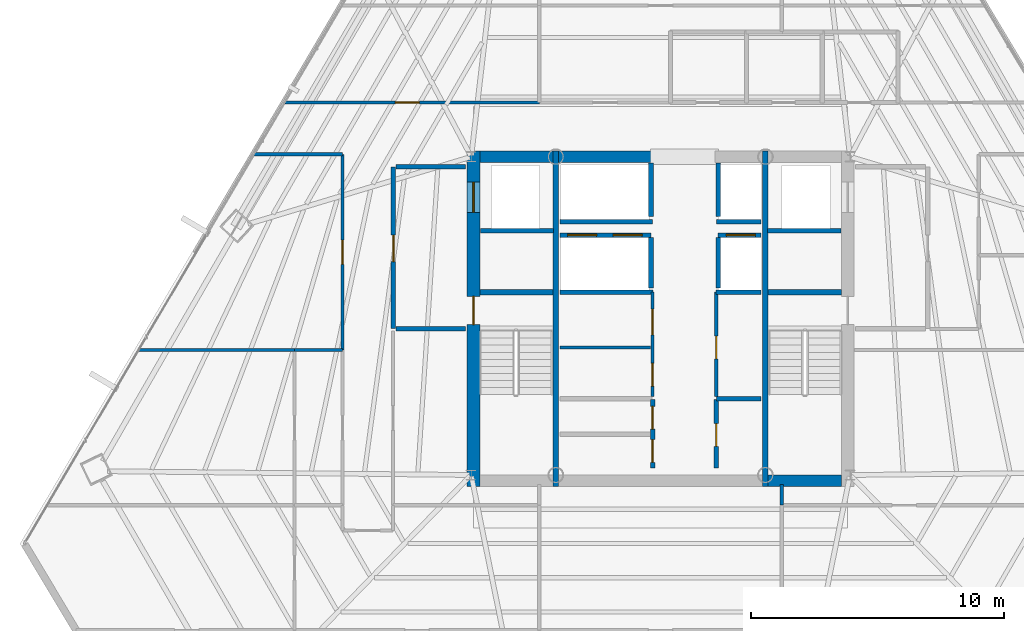
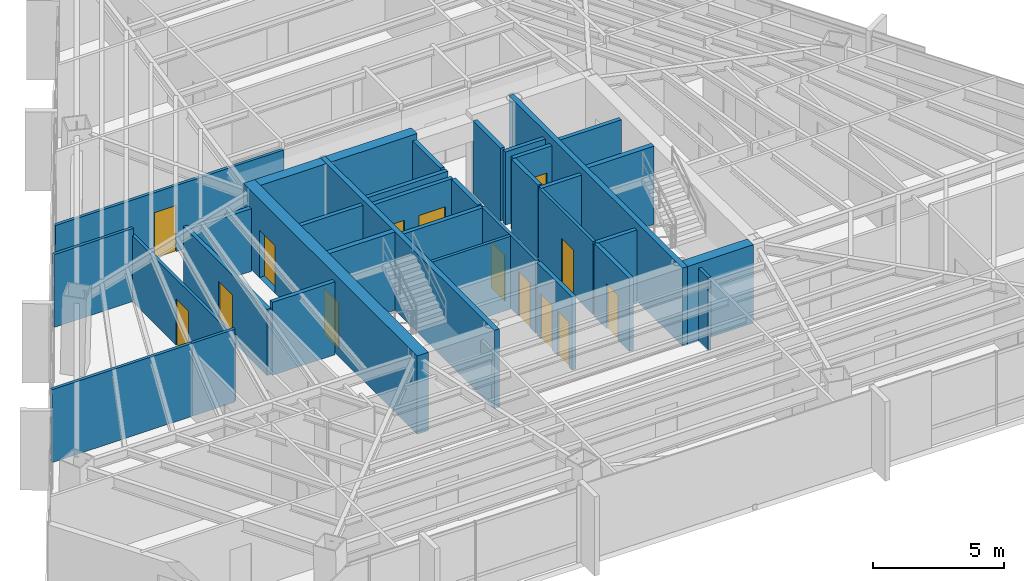
# One storey, part 36 of 41: 35 walls, 14 doors, 14 openings.
"""IFC4 building model written with IfcOpenShell, lengths in metres."""

from ifc_helpers import new_model, si_unit, direction, frame, frame_2d, origin, place, context, subcontext, project, spatial, rectangle, extrude, material, layer, layer_set, type_object, element, fill, save


model = new_model("IFC4")

# Units and contexts
model_context = context("Model", 3, precision=1e-05, world=origin(), true_north=direction((0.0, 1.0)))
body_context = subcontext(model_context, "Body", "Model", "MODEL_VIEW")
ifc_project = project(units=[si_unit("LENGTHUNIT", "METRE"), si_unit("AREAUNIT", "SQUARE_METRE"), si_unit("VOLUMEUNIT", "CUBIC_METRE"), si_unit("PLANEANGLEUNIT", "RADIAN"), si_unit("MASSUNIT", "GRAM", prefix="KILO")], contexts=[model_context])

# Site, building, storey
site_placement = place(None, origin())
site = spatial("IfcSite", under=ifc_project, at=site_placement, CompositionType="ELEMENT")
building_placement = place(site_placement, origin())
building = spatial("IfcBuilding", under=site, at=building_placement, Name="Caelisora Broadcast Tower", CompositionType="ELEMENT")
storey_placement = place(building_placement, frame((0.0, 0.0, 180.39990234375)))
storey = spatial("IfcBuildingStorey", under=building, at=storey_placement, Name="L47", CompositionType="ELEMENT", Elevation=180.39990234375)

# Wall, openings, doors
ifc_material_1 = material(Name="Concrete 50 MPa (AS 3600 S50)", Category="concrete")
ifc_layer_1 = layer(ifc_material_1, 0.5, Name="Concrete 50 MPa (AS 3600 S50)")
ifc_layer_set_1 = layer_set([ifc_layer_1], Name="Concrete 50 MPa (AS 3600 S50)")
wall_type_1 = type_object("IfcWallType", Name="CW2", PredefinedType="SHEAR", material=ifc_layer_set_1)
wall_1_placement = place(storey_placement, frame((30.590087890625, 16.949951171875, 0.0), z_axis=(0.0, 0.0, 1.0), x_axis=(0.0, 1.0, 0.0)))
wall_1 = element("IfcWall", 1, at=wall_1_placement, inside=storey, type_object=wall_type_1, Name="L47 core shear wall CW2", PredefinedType="SHEAR", context=body_context, shape_type="SweptSolid", body=[
    extrude(rectangle(XDim=13.275146484375, YDim=0.5, at=frame_2d((6.6376953125, 0.0))), origin(), (0.0, 0.0, 1.0), 3.650146484375),
])
opening_1_placement = place(wall_1_placement, frame((6.39990234375, 0.0, 0.0)))
opening_1 = element("IfcOpeningElement", 2, at=opening_1_placement, cuts=wall_1, Name="Opening FD04", PredefinedType="OPENING", context=body_context, shape_type="SweptSolid", body=[
    extrude(rectangle(XDim=1.1201171875, YDim=2.14990234375, at=frame_2d((0.56005859375, 1.074951171875))), frame((0.0, 0.261962890625, 0.0), z_axis=(0.0, -1.0, 0.0), x_axis=(1.0, 0.0, 0.0)), (0.0, 0.0, 1.0), 0.52392578125),
])
opening_2_placement = place(wall_1_placement, frame((10.85009765625, 0.0, 0.0)))
opening_2 = element("IfcOpeningElement", 3, at=opening_2_placement, cuts=wall_1, Name="Opening LD04", PredefinedType="OPENING", context=body_context, shape_type="SweptSolid", body=[
    extrude(rectangle(XDim=1.199951171875, YDim=2.199951171875, at=frame_2d((0.60009765625, 1.10009765625))), frame((0.0, 0.261962890625, 0.0), z_axis=(0.0, -1.0, 0.0), x_axis=(1.0, 0.0, 0.0)), (0.0, 0.0, 1.0), 0.52392578125),
])
ifc_material_2 = material(Name="Pressurised Fire-Isolated Stair Door", Category="steel")
door_type_1 = type_object("IfcDoorType", Name="FD04", OperationType="NOTDEFINED", PredefinedType="DOOR", material=ifc_material_2)
door_1_placement = place(opening_1_placement, origin())
door_1 = element("IfcDoor", 4, at=door_1_placement, inside=storey, type_object=door_type_1, Name="L47 door FD04 (L47-DR-ST1)", OperationType="SINGLE_SWING_LEFT", OverallHeight=2.14990234375, OverallWidth=1.1201171875, PredefinedType="DOOR", context=body_context, shape_type="SweptSolid", body=[
    extrude(rectangle(XDim=1.1201171875, YDim=2.14990234375, at=frame_2d((0.56005859375, 1.074951171875))), frame((0.0, 0.02490234375, 0.0), z_axis=(0.0, -1.0, 0.0), x_axis=(1.0, 0.0, 0.0)), (0.0, 0.0, 1.0), 0.050048828125),
])
fill(opening_1, door_1)
ifc_material_3 = material(Name="Emergency Firefighting Lift Sliding Landing Door", Category="steel")
door_type_2 = type_object("IfcDoorType", Name="LD04", OperationType="NOTDEFINED", PredefinedType="DOOR", material=ifc_material_3)
door_2_placement = place(opening_2_placement, origin())
door_2 = element("IfcDoor", 5, at=door_2_placement, inside=storey, type_object=door_type_2, Name="L47 door LD04 (L47-LD-FFL1)", OperationType="SLIDING_TO_LEFT", OverallHeight=2.199951171875, OverallWidth=1.199951171875, PredefinedType="DOOR", context=body_context, shape_type="SweptSolid", body=[
    extrude(rectangle(XDim=1.199951171875, YDim=2.199951171875, at=frame_2d((0.60009765625, 1.10009765625))), frame((0.0, 0.02490234375, 0.0), z_axis=(0.0, -1.0, 0.0), x_axis=(1.0, 0.0, 0.0)), (0.0, 0.0, 1.0), 0.050048828125),
])
fill(opening_2, door_2)

# Walls
ifc_layer_2 = layer(ifc_material_1, 0.449951171875, Name="Concrete 50 MPa (AS 3600 S50)")
ifc_layer_set_2 = layer_set([ifc_layer_2], Name="Concrete 50 MPa (AS 3600 S50)")
wall_type_2 = type_object("IfcWallType", Name="CW5", PredefinedType="SHEAR", material=ifc_layer_set_2)
for number, where, z_axis, x_axis, name in (
    (6, (42.260009765625, 17.175048828125, 0.0), (0.0, 0.0, 1.0), (1.0, 0.0, 0.0), "L47 core shear wall CW5"),
    (7, (30.840087890625, 30.0, 0.0), (0.0, 0.0, 1.0), (1.0, 0.0, 0.0), "L47 core shear wall CW5"),
):
    element("IfcWall", number, at=place(storey_placement, frame(where, z_axis=z_axis, x_axis=x_axis)), inside=storey, type_object=wall_type_2, Name=name, PredefinedType="SHEAR", context=body_context, shape_type="SweptSolid", body=[
        extrude(rectangle(XDim=2.89990234375, YDim=0.449951171875, at=frame_2d((1.449951171875, 0.0))), origin(), (0.0, 0.0, 1.0), 3.650146484375),
    ])
wall_2_placement = place(storey_placement, frame((33.9599609375, 30.0, 0.0), z_axis=(0.0, 0.0, 1.0), x_axis=(1.0, 0.0, 0.0)))
element("IfcWall", 8, at=wall_2_placement, inside=storey, type_object=wall_type_2, Name="L47 core shear wall CW5", PredefinedType="SHEAR", context=body_context, shape_type="SweptSolid", body=[
    extrude(rectangle(XDim=3.780029296875, YDim=0.449951171875, at=frame_2d((1.89013671875, 0.0))), origin(), (0.0, 0.0, 1.0), 3.650146484375),
])
ifc_layer_3 = layer(ifc_material_1, 0.219970703125, Name="Concrete 50 MPa (AS 3600 S50)")
ifc_layer_set_3 = layer_set([ifc_layer_3], Name="Concrete 50 MPa (AS 3600 S50)")
wall_type_3 = type_object("IfcWallType", Name="CW7", PredefinedType="SHEAR", material=ifc_layer_set_3)
for number, where, z_axis, x_axis, name in (
    (9, (33.85009765625, 16.949951171875, 0.0), (0.0, 0.0, 1.0), (0.0, 1.0, 0.0), "L47 core shear wall CW7"),
    (10, (42.14990234375, 16.949951171875, 0.0), (0.0, 0.0, 1.0), (0.0, 1.0, 0.0), "L47 core shear wall CW7"),
):
    element("IfcWall", number, at=place(storey_placement, frame(where, z_axis=z_axis, x_axis=x_axis)), inside=storey, type_object=wall_type_3, Name=name, PredefinedType="SHEAR", context=body_context, shape_type="SweptSolid", body=[
        extrude(rectangle(XDim=13.275146484375, YDim=0.219970703125, at=frame_2d((6.6376953125, 0.0))), origin(), (0.0, 0.0, 1.0), 3.650146484375),
    ])
for number, where, z_axis, x_axis, name in (
    (11, (30.840087890625, 24.639892578125, 0.0), (0.0, 0.0, 1.0), (1.0, 0.0, 0.0), "L47 core shear wall CW7"),
    (12, (42.260009765625, 24.639892578125, 0.0), (0.0, 0.0, 1.0), (1.0, 0.0, 0.0), "L47 core shear wall CW7"),
):
    element("IfcWall", number, at=place(storey_placement, frame(where, z_axis=z_axis, x_axis=x_axis)), inside=storey, type_object=wall_type_3, Name=name, PredefinedType="SHEAR", context=body_context, shape_type="SweptSolid", body=[
        extrude(rectangle(XDim=2.89990234375, YDim=0.219970703125, at=frame_2d((1.449951171875, 0.0))), origin(), (0.0, 0.0, 1.0), 3.650146484375),
    ])

# Wall, openings, doors
ifc_material_4 = material(Name="Fire-Rated Gypsum Shaft and Compartment Wall", Category="gypsum")
ifc_layer_4 = layer(ifc_material_4, 0.179931640625, Name="Fire-Rated Gypsum Shaft and Compartment Wall")
ifc_layer_set_4 = layer_set([ifc_layer_4], Name="Fire-Rated Gypsum Shaft and Compartment Wall")
wall_type_4 = type_object("IfcWallType", Name="PW2", PredefinedType="PARTITIONING", material=ifc_layer_set_4)
wall_3_placement = place(storey_placement, frame((34.02001953125, 26.89990234375, 0.0), z_axis=(0.0, 0.0, 1.0), x_axis=(1.0, 0.0, 0.0)))
wall_3 = element("IfcWall", 13, at=wall_3_placement, inside=storey, type_object=wall_type_4, Name="L47 fire compartment wall PW2", PredefinedType="PARTITIONING", context=body_context, shape_type="SweptSolid", body=[
    extrude(rectangle(XDim=3.60009765625, YDim=0.179931640625, at=frame_2d((1.800048828125, 0.0))), origin(), (0.0, 0.0, 1.0), 3.400146484375),
])
opening_3_placement = place(wall_3_placement, frame((0.300048828125, 0.0, 0.0)))
opening_3 = element("IfcOpeningElement", 14, at=opening_3_placement, cuts=wall_3, Name="Opening LD02", PredefinedType="OPENING", context=body_context, shape_type="SweptSolid", body=[
    extrude(rectangle(XDim=1.14990234375, YDim=2.199951171875, at=frame_2d((0.574951171875, 1.10009765625))), frame((0.0, 0.10205078125, 0.0), z_axis=(0.0, -1.0, 0.0), x_axis=(1.0, 0.0, 0.0)), (0.0, 0.0, 1.0), 0.203857421875),
])
opening_4_placement = place(wall_3_placement, frame((2.10009765625, 0.0, 0.0)))
opening_4 = element("IfcOpeningElement", 15, at=opening_4_placement, cuts=wall_3, Name="Opening LD02", PredefinedType="OPENING", context=body_context, shape_type="SweptSolid", body=[
    extrude(rectangle(XDim=1.14990234375, YDim=2.199951171875, at=frame_2d((0.574951171875, 1.10009765625))), frame((0.0, 0.10205078125, 0.0), z_axis=(0.0, -1.0, 0.0), x_axis=(1.0, 0.0, 0.0)), (0.0, 0.0, 1.0), 0.203857421875),
])
ifc_material_5 = material(Name="High-Speed Express Lift Sliding Landing Door", Category="steel")
door_type_3 = type_object("IfcDoorType", Name="LD02", OperationType="NOTDEFINED", PredefinedType="DOOR", material=ifc_material_5)
door_3_placement = place(opening_3_placement, origin())
door_3 = element("IfcDoor", 16, at=door_3_placement, inside=storey, type_object=door_type_3, Name="L47 door LD02 (L47-LD-PLM1)", OperationType="SLIDING_TO_LEFT", OverallHeight=2.199951171875, OverallWidth=1.14990234375, PredefinedType="DOOR", context=body_context, shape_type="SweptSolid", body=[
    extrude(rectangle(XDim=1.14990234375, YDim=2.199951171875, at=frame_2d((0.574951171875, 1.10009765625))), frame((0.0, 0.02490234375, 0.0), z_axis=(0.0, -1.0, 0.0), x_axis=(1.0, 0.0, 0.0)), (0.0, 0.0, 1.0), 0.050048828125),
])
fill(opening_3, door_3)
door_4_placement = place(opening_4_placement, origin())
door_4 = element("IfcDoor", 17, at=door_4_placement, inside=storey, type_object=door_type_3, Name="L47 door LD02 (L47-LD-PLM2)", OperationType="SLIDING_TO_RIGHT", OverallHeight=2.199951171875, OverallWidth=1.14990234375, PredefinedType="DOOR", context=body_context, shape_type="SweptSolid", body=[
    extrude(rectangle(XDim=1.14990234375, YDim=2.199951171875, at=frame_2d((0.574951171875, 1.10009765625))), frame((0.0, 0.02490234375, 0.0), z_axis=(0.0, -1.0, 0.0), x_axis=(1.0, 0.0, 0.0)), (0.0, 0.0, 1.0), 0.050048828125),
])
fill(opening_4, door_4)

# Wall, opening, door
wall_4_placement = place(storey_placement, frame((40.280029296875, 26.89990234375, 0.0), z_axis=(0.0, 0.0, 1.0), x_axis=(1.0, 0.0, 0.0)))
wall_4 = element("IfcWall", 18, at=wall_4_placement, inside=storey, type_object=wall_type_4, Name="L47 fire compartment wall PW2", PredefinedType="PARTITIONING", context=body_context, shape_type="SweptSolid", body=[
    extrude(rectangle(XDim=1.699951171875, YDim=0.179931640625, at=frame_2d((0.85009765625, 0.0))), origin(), (0.0, 0.0, 1.0), 3.400146484375),
])
opening_5_placement = place(wall_4_placement, frame((0.320068359375, 0.0, 0.0)))
opening_5 = element("IfcOpeningElement", 19, at=opening_5_placement, cuts=wall_4, Name="Opening LD02", PredefinedType="OPENING", context=body_context, shape_type="SweptSolid", body=[
    extrude(rectangle(XDim=1.14990234375, YDim=2.199951171875, at=frame_2d((0.574951171875, 1.10009765625))), frame((0.0, 0.10205078125, 0.0), z_axis=(0.0, -1.0, 0.0), x_axis=(1.0, 0.0, 0.0)), (0.0, 0.0, 1.0), 0.203857421875),
])
door_5_placement = place(opening_5_placement, origin())
door_5 = element("IfcDoor", 20, at=door_5_placement, inside=storey, type_object=door_type_3, Name="L47 door LD02 (L47-LD-PLM3)", OperationType="SLIDING_TO_LEFT", OverallHeight=2.199951171875, OverallWidth=1.14990234375, PredefinedType="DOOR", context=body_context, shape_type="SweptSolid", body=[
    extrude(rectangle(XDim=1.14990234375, YDim=2.199951171875, at=frame_2d((0.574951171875, 1.10009765625))), frame((0.0, 0.02490234375, 0.0), z_axis=(0.0, -1.0, 0.0), x_axis=(1.0, 0.0, 0.0)), (0.0, 0.0, 1.0), 0.050048828125),
])
fill(opening_5, door_5)

# Walls
for number, where, z_axis, x_axis, name in (
    (21, (37.6201171875, 24.800048828125, 0.0), (0.0, 0.0, 1.0), (0.0, 1.0, 0.0), "L47 fire compartment wall PW2"),
    (22, (40.280029296875, 24.800048828125, 0.0), (0.0, 0.0, 1.0), (0.0, 1.0, 0.0), "L47 fire compartment wall PW2"),
):
    element("IfcWall", number, at=place(storey_placement, frame(where, z_axis=z_axis, x_axis=x_axis)), inside=storey, type_object=wall_type_4, Name=name, PredefinedType="PARTITIONING", context=body_context, shape_type="SweptSolid", body=[
        extrude(rectangle(XDim=2.0, YDim=0.179931640625, at=frame_2d((1.0, 0.0))), origin(), (0.0, 0.0, 1.0), 3.400146484375),
    ])
wall_5_placement = place(storey_placement, frame((34.02001953125, 24.639892578125, 0.0), z_axis=(0.0, 0.0, 1.0), x_axis=(1.0, 0.0, 0.0)))
element("IfcWall", 23, at=wall_5_placement, inside=storey, type_object=wall_type_4, Name="L47 fire compartment wall PW2", PredefinedType="PARTITIONING", context=body_context, shape_type="SweptSolid", body=[
    extrude(rectangle(XDim=3.679931640625, YDim=0.179931640625, at=frame_2d((1.83984375, 0.0))), origin(), (0.0, 0.0, 1.0), 3.400146484375),
])
wall_6_placement = place(storey_placement, frame((40.199951171875, 24.639892578125, 0.0), z_axis=(0.0, 0.0, 1.0), x_axis=(1.0, 0.0, 0.0)))
element("IfcWall", 24, at=wall_6_placement, inside=storey, type_object=wall_type_4, Name="L47 fire compartment wall PW2", PredefinedType="PARTITIONING", context=body_context, shape_type="SweptSolid", body=[
    extrude(rectangle(XDim=1.780029296875, YDim=0.179931640625, at=frame_2d((0.89013671875, 0.0))), origin(), (0.0, 0.0, 1.0), 3.400146484375),
])
wall_7_placement = place(storey_placement, frame((34.02001953125, 27.419921875, 0.0), z_axis=(0.0, 0.0, 1.0), x_axis=(1.0, 0.0, 0.0)))
element("IfcWall", 25, at=wall_7_placement, inside=storey, type_object=wall_type_4, Name="L47 fire compartment wall PW2", PredefinedType="PARTITIONING", context=body_context, shape_type="SweptSolid", body=[
    extrude(rectangle(XDim=3.659912109375, YDim=0.179931640625, at=frame_2d((1.830078125, 0.0))), origin(), (0.0, 0.0, 1.0), 3.400146484375),
])
wall_8_placement = place(storey_placement, frame((40.219970703125, 27.419921875, 0.0), z_axis=(0.0, 0.0, 1.0), x_axis=(1.0, 0.0, 0.0)))
element("IfcWall", 26, at=wall_8_placement, inside=storey, type_object=wall_type_4, Name="L47 fire compartment wall PW2", PredefinedType="PARTITIONING", context=body_context, shape_type="SweptSolid", body=[
    extrude(rectangle(XDim=1.760009765625, YDim=0.179931640625, at=frame_2d((0.8798828125, 0.0))), origin(), (0.0, 0.0, 1.0), 3.400146484375),
])
for number, where, z_axis, x_axis, name in (
    (27, (37.6201171875, 27.639892578125, 0.0), (0.0, 0.0, 1.0), (0.0, 1.0, 0.0), "L47 fire compartment wall PW2"),
    (28, (40.280029296875, 27.639892578125, 0.0), (0.0, 0.0, 1.0), (0.0, 1.0, 0.0), "L47 fire compartment wall PW2"),
):
    element("IfcWall", number, at=place(storey_placement, frame(where, z_axis=z_axis, x_axis=x_axis)), inside=storey, type_object=wall_type_4, Name=name, PredefinedType="PARTITIONING", context=body_context, shape_type="SweptSolid", body=[
        extrude(rectangle(XDim=2.110107421875, YDim=0.179931640625, at=frame_2d((1.05517578125, 0.0))), origin(), (0.0, 0.0, 1.0), 3.400146484375),
    ])

# Wall, opening, door
wall_9_placement = place(storey_placement, frame((27.419921875, 23.199951171875, 0.0), z_axis=(0.0, 0.0, 1.0), x_axis=(0.0, 1.0, 0.0)))
wall_9 = element("IfcWall", 29, at=wall_9_placement, inside=storey, type_object=wall_type_4, Name="L47 fire compartment wall PW2", PredefinedType="PARTITIONING", context=body_context, shape_type="SweptSolid", body=[
    extrude(rectangle(XDim=6.400146484375, YDim=0.179931640625, at=frame_2d((3.2001953125, 0.0))), origin(), (0.0, 0.0, 1.0), 3.077880859375),
])
opening_6_placement = place(wall_9_placement, frame((2.64990234375, 0.0, 0.0)))
opening_6 = element("IfcOpeningElement", 30, at=opening_6_placement, cuts=wall_9, Name="Opening FD02", PredefinedType="OPENING", context=body_context, shape_type="SweptSolid", body=[
    extrude(rectangle(XDim=1.050048828125, YDim=2.14990234375, at=frame_2d((0.52490234375, 1.074951171875))), frame((0.0, 0.10205078125, 0.0), z_axis=(0.0, -1.0, 0.0), x_axis=(1.0, 0.0, 0.0)), (0.0, 0.0, 1.0), 0.203857421875),
])
ifc_material_6 = material(Name="Single-Leaf Steel Fire Lobby Door", Category="steel")
door_type_4 = type_object("IfcDoorType", Name="FD02", OperationType="NOTDEFINED", PredefinedType="DOOR", material=ifc_material_6)
door_6_placement = place(opening_6_placement, origin())
door_6 = element("IfcDoor", 31, at=door_6_placement, inside=storey, type_object=door_type_4, Name="L47 door FD02 (L47-DR-P01D1)", OperationType="SINGLE_SWING_LEFT", OverallHeight=2.14990234375, OverallWidth=1.050048828125, PredefinedType="DOOR", context=body_context, shape_type="SweptSolid", body=[
    extrude(rectangle(XDim=1.050048828125, YDim=2.14990234375, at=frame_2d((0.52490234375, 1.074951171875))), frame((0.0, 0.02490234375, 0.0), z_axis=(0.0, -1.0, 0.0), x_axis=(1.0, 0.0, 0.0)), (0.0, 0.0, 1.0), 0.050048828125),
])
fill(opening_6, door_6)

# Walls
wall_10_placement = place(storey_placement, frame((27.52001953125, 23.199951171875, 0.0), z_axis=(0.0, 0.0, 1.0), x_axis=(1.0, 0.0, 0.0)))
element("IfcWall", 32, at=wall_10_placement, inside=storey, type_object=wall_type_4, Name="L47 fire compartment wall PW2", PredefinedType="PARTITIONING", context=body_context, shape_type="SweptSolid", body=[
    extrude(rectangle(XDim=2.760009765625, YDim=0.179931640625, at=frame_2d((1.3798828125, 0.0))), origin(), (0.0, 0.0, 1.0), 3.400146484375),
])
wall_11_placement = place(storey_placement, frame((27.52001953125, 29.60009765625, 0.0), z_axis=(0.0, 0.0, 1.0), x_axis=(1.0, 0.0, 0.0)))
element("IfcWall", 33, at=wall_11_placement, inside=storey, type_object=wall_type_4, Name="L47 fire compartment wall PW2", PredefinedType="PARTITIONING", context=body_context, shape_type="SweptSolid", body=[
    extrude(rectangle(XDim=2.760009765625, YDim=0.179931640625, at=frame_2d((1.3798828125, 0.0))), origin(), (0.0, 0.0, 1.0), 2.9248046875),
])
for number, where, z_axis, x_axis, name in (
    (34, (30.860107421875, 27.070068359375, 0.0), (0.0, 0.0, 1.0), (1.0, 0.0, 0.0), "L47 fire compartment wall PW2"),
    (35, (42.239990234375, 27.070068359375, 0.0), (0.0, 0.0, 1.0), (1.0, 0.0, 0.0), "L47 fire compartment wall PW2"),
):
    element("IfcWall", number, at=place(storey_placement, frame(where, z_axis=z_axis, x_axis=x_axis)), inside=storey, type_object=wall_type_4, Name=name, PredefinedType="PARTITIONING", context=body_context, shape_type="SweptSolid", body=[
        extrude(rectangle(XDim=2.89990234375, YDim=0.179931640625, at=frame_2d((1.449951171875, 0.0))), origin(), (0.0, 0.0, 1.0), 3.400146484375),
    ])
wall_12_placement = place(storey_placement, frame((40.219970703125, 20.419921875, 0.0), z_axis=(0.0, 0.0, 1.0), x_axis=(1.0, 0.0, 0.0)))
element("IfcWall", 36, at=wall_12_placement, inside=storey, type_object=wall_type_4, Name="L47 fire compartment wall PW2", PredefinedType="PARTITIONING", context=body_context, shape_type="SweptSolid", body=[
    extrude(rectangle(XDim=1.760009765625, YDim=0.179931640625, at=frame_2d((0.8798828125, 0.0))), origin(), (0.0, 0.0, 1.0), 3.400146484375),
])

# Wall, openings, doors
wall_13_placement = place(storey_placement, frame((37.679931640625, 17.679931640625, 0.0), z_axis=(0.0, 0.0, 1.0), x_axis=(0.0, 1.0, 0.0)))
wall_13 = element("IfcWall", 37, at=wall_13_placement, inside=storey, type_object=wall_type_4, Name="L47 fire compartment wall PW2", PredefinedType="PARTITIONING", context=body_context, shape_type="SweptSolid", body=[
    extrude(rectangle(XDim=2.699951171875, YDim=0.179931640625, at=frame_2d((1.35009765625, 0.0))), origin(), (0.0, 0.0, 1.0), 3.400146484375),
])
opening_7_placement = place(wall_13_placement, frame((0.219970703125, 0.0, 0.0)))
opening_7 = element("IfcOpeningElement", 38, at=opening_7_placement, cuts=wall_13, Name="Opening FD03", PredefinedType="OPENING", context=body_context, shape_type="SweptSolid", body=[
    extrude(rectangle(XDim=0.89990234375, YDim=2.10009765625, at=frame_2d((0.449951171875, 1.050048828125))), frame((0.0, 0.10205078125, 0.0), z_axis=(0.0, -1.0, 0.0), x_axis=(1.0, 0.0, 0.0)), (0.0, 0.0, 1.0), 0.203857421875),
])
opening_8_placement = place(wall_13_placement, frame((1.5400390625, 0.0, 0.0)))
opening_8 = element("IfcOpeningElement", 39, at=opening_8_placement, cuts=wall_13, Name="Opening FD03", PredefinedType="OPENING", context=body_context, shape_type="SweptSolid", body=[
    extrude(rectangle(XDim=0.89990234375, YDim=2.10009765625, at=frame_2d((0.449951171875, 1.050048828125))), frame((0.0, 0.10205078125, 0.0), z_axis=(0.0, -1.0, 0.0), x_axis=(1.0, 0.0, 0.0)), (0.0, 0.0, 1.0), 0.203857421875),
])
ifc_material_7 = material(Name="Single-Leaf Steel Riser Fire Access Door", Category="steel")
door_type_5 = type_object("IfcDoorType", Name="FD03", OperationType="NOTDEFINED", PredefinedType="DOOR", material=ifc_material_7)
door_7_placement = place(opening_7_placement, origin())
door_7 = element("IfcDoor", 40, at=door_7_placement, inside=storey, type_object=door_type_5, Name="L47 door FD03 (L47-DR-P15D1)", OperationType="SINGLE_SWING_RIGHT", OverallHeight=2.10009765625, OverallWidth=0.89990234375, PredefinedType="DOOR", context=body_context, shape_type="SweptSolid", body=[
    extrude(rectangle(XDim=0.89990234375, YDim=2.10009765625, at=frame_2d((0.449951171875, 1.050048828125))), frame((0.0, 0.02490234375, 0.0), z_axis=(0.0, -1.0, 0.0), x_axis=(1.0, 0.0, 0.0)), (0.0, 0.0, 1.0), 0.050048828125),
])
fill(opening_7, door_7)
door_8_placement = place(opening_8_placement, origin())
door_8 = element("IfcDoor", 41, at=door_8_placement, inside=storey, type_object=door_type_5, Name="L47 door FD03 (L47-DR-P15D2)", OperationType="SINGLE_SWING_LEFT", OverallHeight=2.10009765625, OverallWidth=0.89990234375, PredefinedType="DOOR", context=body_context, shape_type="SweptSolid", body=[
    extrude(rectangle(XDim=0.89990234375, YDim=2.10009765625, at=frame_2d((0.449951171875, 1.050048828125))), frame((0.0, 0.02490234375, 0.0), z_axis=(0.0, -1.0, 0.0), x_axis=(1.0, 0.0, 0.0)), (0.0, 0.0, 1.0), 0.050048828125),
])
fill(opening_8, door_8)

# Wall, opening, door
wall_14_placement = place(storey_placement, frame((40.199951171875, 17.679931640625, 0.0), z_axis=(0.0, 0.0, 1.0), x_axis=(0.0, 1.0, 0.0)))
wall_14 = element("IfcWall", 42, at=wall_14_placement, inside=storey, type_object=wall_type_4, Name="L47 fire compartment wall PW2", PredefinedType="PARTITIONING", context=body_context, shape_type="SweptSolid", body=[
    extrude(rectangle(XDim=2.699951171875, YDim=0.179931640625, at=frame_2d((1.35009765625, 0.0))), origin(), (0.0, 0.0, 1.0), 3.400146484375),
])
opening_9_placement = place(wall_14_placement, frame((0.85009765625, 0.0, 0.0)))
opening_9 = element("IfcOpeningElement", 43, at=opening_9_placement, cuts=wall_14, Name="Opening FD03", PredefinedType="OPENING", context=body_context, shape_type="SweptSolid", body=[
    extrude(rectangle(XDim=0.89990234375, YDim=2.10009765625, at=frame_2d((0.449951171875, 1.050048828125))), frame((0.0, 0.10205078125, 0.0), z_axis=(0.0, -1.0, 0.0), x_axis=(1.0, 0.0, 0.0)), (0.0, 0.0, 1.0), 0.203857421875),
])
door_9_placement = place(opening_9_placement, origin())
door_9 = element("IfcDoor", 44, at=door_9_placement, inside=storey, type_object=door_type_5, Name="L47 door FD03 (L47-DR-P16D1)", OperationType="SINGLE_SWING_RIGHT", OverallHeight=2.10009765625, OverallWidth=0.89990234375, PredefinedType="DOOR", context=body_context, shape_type="SweptSolid", body=[
    extrude(rectangle(XDim=0.89990234375, YDim=2.10009765625, at=frame_2d((0.449951171875, 1.050048828125))), frame((0.0, 0.02490234375, 0.0), z_axis=(0.0, -1.0, 0.0), x_axis=(1.0, 0.0, 0.0)), (0.0, 0.0, 1.0), 0.050048828125),
])
fill(opening_9, door_9)

# Wall
ifc_material_8 = material(Name="Acoustic Steel-Stud Plasterboard Partition", Category="gypsum")
ifc_layer_5 = layer(ifc_material_8, 0.1298828125, Name="Acoustic Steel-Stud Plasterboard Partition")
ifc_layer_set_5 = layer_set([ifc_layer_5], Name="Acoustic Steel-Stud Plasterboard Partition")
wall_type_5 = type_object("IfcWallType", Name="PW3", PredefinedType="PARTITIONING", material=ifc_layer_set_5)
wall_15_placement = place(storey_placement, frame((34.02001953125, 22.449951171875, 0.0), z_axis=(0.0, 0.0, 1.0), x_axis=(1.0, 0.0, 0.0)))
element("IfcWall", 45, at=wall_15_placement, inside=storey, type_object=wall_type_5, Name="L47 internal partition PW3", PredefinedType="PARTITIONING", context=body_context, shape_type="SweptSolid", body=[
    extrude(rectangle(XDim=3.580078125, YDim=0.1298828125, at=frame_2d((1.7900390625, 0.0))), origin(), (0.0, 0.0, 1.0), 3.400146484375),
])

# Wall, openings, doors
wall_16_placement = place(storey_placement, frame((37.679931640625, 20.5, 0.0), z_axis=(0.0, 0.0, 1.0), x_axis=(0.0, 1.0, 0.0)))
wall_16 = element("IfcWall", 46, at=wall_16_placement, inside=storey, type_object=wall_type_5, Name="L47 internal partition PW3", PredefinedType="PARTITIONING", context=body_context, shape_type="SweptSolid", body=[
    extrude(rectangle(XDim=4.139892578125, YDim=0.1298828125, at=frame_2d((2.06982421875, 0.0))), origin(), (0.0, 0.0, 1.0), 3.400146484375),
])
opening_10_placement = place(wall_16_placement, frame((0.419921875, 0.0, 0.0)))
opening_10 = element("IfcOpeningElement", 47, at=opening_10_placement, cuts=wall_16, Name="Opening FD03", PredefinedType="OPENING", context=body_context, shape_type="SweptSolid", body=[
    extrude(rectangle(XDim=0.89990234375, YDim=2.10009765625, at=frame_2d((0.449951171875, 1.050048828125))), frame((0.0, 0.076904296875, 0.0), z_axis=(0.0, -1.0, 0.0), x_axis=(1.0, 0.0, 0.0)), (0.0, 0.0, 1.0), 0.15380859375),
])
opening_11_placement = place(wall_16_placement, frame((2.449951171875, 0.0, 0.0)))
opening_11 = element("IfcOpeningElement", 48, at=opening_11_placement, cuts=wall_16, Name="Opening D02", PredefinedType="OPENING", context=body_context, shape_type="SweptSolid", body=[
    extrude(rectangle(XDim=1.02001953125, YDim=2.14990234375, at=frame_2d((0.510009765625, 1.074951171875))), frame((0.0, 0.076904296875, 0.0), z_axis=(0.0, -1.0, 0.0), x_axis=(1.0, 0.0, 0.0)), (0.0, 0.0, 1.0), 0.15380859375),
])
ifc_material_9 = material(Name="Solid-Core Timber Archive Suite Door", Category="wood")
door_type_6 = type_object("IfcDoorType", Name="D02", OperationType="NOTDEFINED", PredefinedType="DOOR", material=ifc_material_9)
door_10_placement = place(opening_11_placement, origin())
door_10 = element("IfcDoor", 49, at=door_10_placement, inside=storey, type_object=door_type_6, Name="L47 door D02 (L47-DR-P12D2)", OperationType="SINGLE_SWING_RIGHT", OverallHeight=2.14990234375, OverallWidth=1.02001953125, PredefinedType="DOOR", context=body_context, shape_type="SweptSolid", body=[
    extrude(rectangle(XDim=1.02001953125, YDim=2.14990234375, at=frame_2d((0.510009765625, 1.074951171875))), frame((0.0, 0.02490234375, 0.0), z_axis=(0.0, -1.0, 0.0), x_axis=(1.0, 0.0, 0.0)), (0.0, 0.0, 1.0), 0.050048828125),
])
fill(opening_11, door_10)
door_11_placement = place(opening_10_placement, origin())
door_11 = element("IfcDoor", 50, at=door_11_placement, inside=storey, type_object=door_type_5, Name="L47 door FD03 (L47-DR-P12D1)", OperationType="SINGLE_SWING_LEFT", OverallHeight=2.10009765625, OverallWidth=0.89990234375, PredefinedType="DOOR", context=body_context, shape_type="SweptSolid", body=[
    extrude(rectangle(XDim=0.89990234375, YDim=2.10009765625, at=frame_2d((0.449951171875, 1.050048828125))), frame((0.0, 0.02490234375, 0.0), z_axis=(0.0, -1.0, 0.0), x_axis=(1.0, 0.0, 0.0)), (0.0, 0.0, 1.0), 0.050048828125),
])
fill(opening_10, door_11)

# Wall, opening, door
wall_17_placement = place(storey_placement, frame((40.199951171875, 20.5, 0.0), z_axis=(0.0, 0.0, 1.0), x_axis=(0.0, 1.0, 0.0)))
wall_17 = element("IfcWall", 51, at=wall_17_placement, inside=storey, type_object=wall_type_5, Name="L47 internal partition PW3", PredefinedType="PARTITIONING", context=body_context, shape_type="SweptSolid", body=[
    extrude(rectangle(XDim=4.139892578125, YDim=0.1298828125, at=frame_2d((2.06982421875, 0.0))), origin(), (0.0, 0.0, 1.0), 3.400146484375),
])
opening_12_placement = place(wall_17_placement, frame((1.5, 0.0, 0.0)))
opening_12 = element("IfcOpeningElement", 52, at=opening_12_placement, cuts=wall_17, Name="Opening FD03", PredefinedType="OPENING", context=body_context, shape_type="SweptSolid", body=[
    extrude(rectangle(XDim=0.89990234375, YDim=2.10009765625, at=frame_2d((0.449951171875, 1.050048828125))), frame((0.0, 0.076904296875, 0.0), z_axis=(0.0, -1.0, 0.0), x_axis=(1.0, 0.0, 0.0)), (0.0, 0.0, 1.0), 0.15380859375),
])
door_12_placement = place(opening_12_placement, origin())
door_12 = element("IfcDoor", 53, at=door_12_placement, inside=storey, type_object=door_type_5, Name="L47 door FD03 (L47-DR-P13D1)", OperationType="SINGLE_SWING_LEFT", OverallHeight=2.10009765625, OverallWidth=0.89990234375, PredefinedType="DOOR", context=body_context, shape_type="SweptSolid", body=[
    extrude(rectangle(XDim=0.89990234375, YDim=2.10009765625, at=frame_2d((0.449951171875, 1.050048828125))), frame((0.0, 0.02490234375, 0.0), z_axis=(0.0, -1.0, 0.0), x_axis=(1.0, 0.0, 0.0)), (0.0, 0.0, 1.0), 0.050048828125),
])
fill(opening_12, door_12)

wall_18_placement = place(storey_placement, frame((23.135986328125, 32.14990234375, 0.0), z_axis=(0.0, 0.0, 1.0), x_axis=(1.0, 0.0, 0.0)))
wall_18 = element("IfcWall", 54, at=wall_18_placement, inside=storey, type_object=wall_type_5, Name="L47 internal partition PW3", PredefinedType="PARTITIONING", context=body_context, shape_type="SweptSolid", body=[
    extrude(rectangle(XDim=10.05908203125, YDim=0.1298828125, at=frame_2d((5.029541015625, 0.0))), origin(), (0.0, 0.0, 1.0), 3.077880859375),
])
opening_13_placement = place(wall_18_placement, frame((4.35693359375, 0.0, 0.0)))
opening_13 = element("IfcOpeningElement", 55, at=opening_13_placement, cuts=wall_18, Name="Opening D01", PredefinedType="OPENING", context=body_context, shape_type="SweptSolid", body=[
    extrude(rectangle(XDim=0.9599609375, YDim=2.14990234375, at=frame_2d((0.47998046875, 1.074951171875))), frame((0.0, 0.076904296875, 0.0), z_axis=(0.0, -1.0, 0.0), x_axis=(1.0, 0.0, 0.0)), (0.0, 0.0, 1.0), 0.15380859375),
])
ifc_material_10 = material(Name="Solid-Core Timber Acoustic Office Door", Category="wood")
door_type_7 = type_object("IfcDoorType", Name="D01", OperationType="NOTDEFINED", PredefinedType="DOOR", material=ifc_material_10)
door_13_placement = place(opening_13_placement, origin())
door_13 = element("IfcDoor", 56, at=door_13_placement, inside=storey, type_object=door_type_7, Name="L47 door D01 (L47-DR-P32D1)", OperationType="SINGLE_SWING_RIGHT", OverallHeight=2.14990234375, OverallWidth=0.9599609375, PredefinedType="DOOR", context=body_context, shape_type="SweptSolid", body=[
    extrude(rectangle(XDim=0.9599609375, YDim=2.14990234375, at=frame_2d((0.47998046875, 1.074951171875))), frame((0.0, 0.02490234375, 0.0), z_axis=(0.0, -1.0, 0.0), x_axis=(1.0, 0.0, 0.0)), (0.0, 0.0, 1.0), 0.050048828125),
])
fill(opening_13, door_13)

wall_19_placement = place(storey_placement, frame((25.39990234375, 30.094970703125, 0.0), z_axis=(0.0, 0.0, 1.0), x_axis=(0.0, -1.0, 0.0)))
wall_19 = element("IfcWall", 57, at=wall_19_placement, inside=storey, type_object=wall_type_5, Name="L47 internal partition PW3", PredefinedType="PARTITIONING", context=body_context, shape_type="SweptSolid", body=[
    extrude(rectangle(XDim=7.739990234375, YDim=0.1298828125, at=frame_2d((3.8701171875, 0.0))), origin(), (0.0, 0.0, 1.0), 3.077880859375),
])
opening_14_placement = place(wall_19_placement, frame((3.389892578125, 0.0, 0.0)))
opening_14 = element("IfcOpeningElement", 58, at=opening_14_placement, cuts=wall_19, Name="Opening D01", PredefinedType="OPENING", context=body_context, shape_type="SweptSolid", body=[
    extrude(rectangle(XDim=0.9599609375, YDim=2.14990234375, at=frame_2d((0.47998046875, 1.074951171875))), frame((0.0, 0.076904296875, 0.0), z_axis=(0.0, -1.0, 0.0), x_axis=(1.0, 0.0, 0.0)), (0.0, 0.0, 1.0), 0.15380859375),
])
door_14_placement = place(opening_14_placement, origin())
door_14 = element("IfcDoor", 59, at=door_14_placement, inside=storey, type_object=door_type_7, Name="L47 door D01 (L47-DR-P44D1)", OperationType="SINGLE_SWING_RIGHT", OverallHeight=2.14990234375, OverallWidth=0.9599609375, PredefinedType="DOOR", context=body_context, shape_type="SweptSolid", body=[
    extrude(rectangle(XDim=0.9599609375, YDim=2.14990234375, at=frame_2d((0.47998046875, 1.074951171875))), frame((0.0, 0.02490234375, 0.0), z_axis=(0.0, -1.0, 0.0), x_axis=(1.0, 0.0, 0.0)), (0.0, 0.0, 1.0), 0.050048828125),
])
fill(opening_14, door_14)

# Walls
wall_20_placement = place(storey_placement, frame((17.3291015625, 22.35009765625, 0.0), z_axis=(0.0, 0.0, 1.0), x_axis=(1.0, 0.0, 0.0)))
element("IfcWall", 60, at=wall_20_placement, inside=storey, type_object=wall_type_5, Name="L47 internal partition PW3", PredefinedType="PARTITIONING", context=body_context, shape_type="SweptSolid", body=[
    extrude(rectangle(XDim=6.166015625, YDim=0.1298828125, at=frame_2d((3.0830078125, 0.0))), origin(), (0.0, 0.0, 1.0), 3.400146484375),
])
wall_21_placement = place(storey_placement, frame((21.90087890625, 30.10009765625, 0.0), z_axis=(0.0, 0.0, 1.0), x_axis=(1.0, 0.0, 0.0)))
element("IfcWall", 61, at=wall_21_placement, inside=storey, type_object=wall_type_5, Name="L47 internal partition PW3", PredefinedType="PARTITIONING", context=body_context, shape_type="SweptSolid", body=[
    extrude(rectangle(XDim=3.494140625, YDim=0.1298828125, at=frame_2d((1.7470703125, 0.0))), origin(), (0.0, 0.0, 1.0), 3.400146484375),
])
wall_22_placement = place(storey_placement, frame((23.5048828125, 22.35009765625, 0.0), z_axis=(0.0, 0.0, 1.0), x_axis=(1.0, 0.0, 0.0)))
element("IfcWall", 62, at=wall_22_placement, inside=storey, type_object=wall_type_5, Name="L47 internal partition PW3", PredefinedType="PARTITIONING", context=body_context, shape_type="SweptSolid", body=[
    extrude(rectangle(XDim=1.89013671875, YDim=0.1298828125, at=frame_2d((0.945068359375, 0.0))), origin(), (0.0, 0.0, 1.0), 3.400146484375),
])
wall_23_placement = place(storey_placement, frame((42.800048828125, 16.205078125, 0.0), z_axis=(0.0, 0.0, 1.0), x_axis=(0.0, 1.0, 0.0)))
element("IfcWall", 63, at=wall_23_placement, inside=storey, type_object=wall_type_5, Name="L47 internal partition PW3", PredefinedType="PARTITIONING", context=body_context, shape_type="SweptSolid", body=[
    extrude(rectangle(XDim=0.81982421875, YDim=0.1298828125, at=frame_2d((0.409912109375, 0.0))), origin(), (0.0, 0.0, 1.0), 3.400146484375),
])

save(model, "model.ifc")
